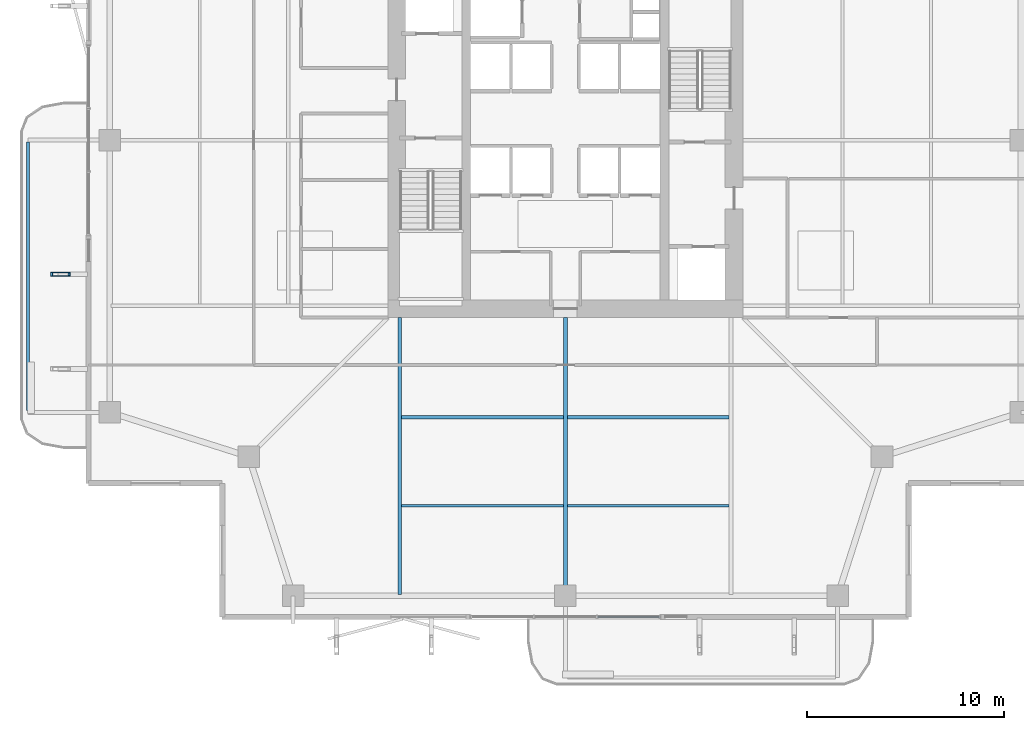
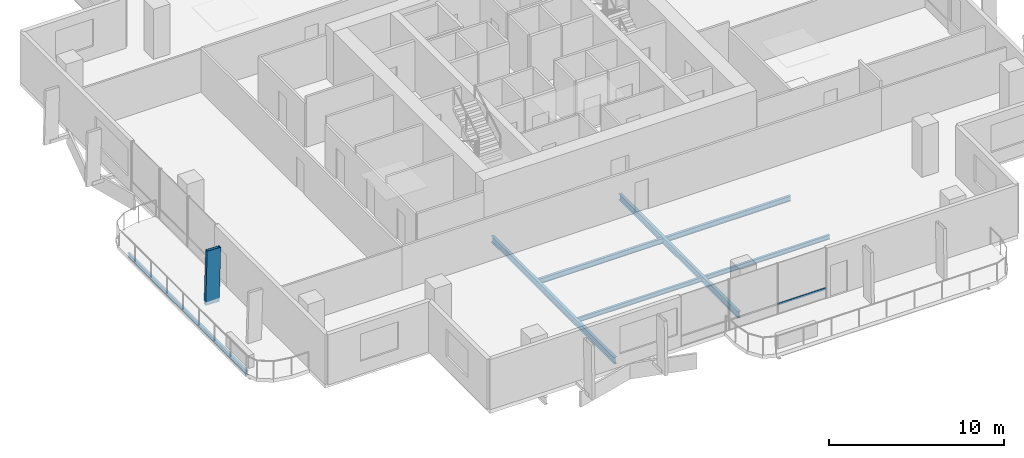
# One storey, part 3 of 23: 7 beams, 2 members, 1 element without a shape of its own.
"""IFC4 building model written with IfcOpenShell, lengths in metres."""

from ifc_helpers import new_model, si_unit, direction, frame, origin, origin_2d, place, context, subcontext, project, spatial, hollow_rectangle, i_section, extrude, material, layer, layer_set, material_profile, profile_set, type_object, element, aggregate, save


model = new_model("IFC4")

# Units and contexts
model_context = context("Model", 3, precision=1e-05, world=origin(), true_north=direction((0.0, 1.0)))
body_context = subcontext(model_context, "Body", "Model", "MODEL_VIEW")
ifc_project = project(units=[si_unit("LENGTHUNIT", "METRE"), si_unit("AREAUNIT", "SQUARE_METRE"), si_unit("VOLUMEUNIT", "CUBIC_METRE"), si_unit("PLANEANGLEUNIT", "RADIAN"), si_unit("MASSUNIT", "GRAM", prefix="KILO")], contexts=[model_context])

# Site, building, storey
site_placement = place(None, origin())
site = spatial("IfcSite", under=ifc_project, at=site_placement, CompositionType="ELEMENT")
building_placement = place(site_placement, origin())
building = spatial("IfcBuilding", under=site, at=building_placement, Name="Belovzor Exchange Tower", CompositionType="ELEMENT")
storey_placement = place(building_placement, frame((0.0, 0.0, 157.050048828125)))
storey = spatial("IfcBuildingStorey", under=building, at=storey_placement, Name="L38", CompositionType="ELEMENT", Elevation=157.050048828125)

# Beams
ifc_material_1 = material(Name="Steel S355", Category="steel")
ifc_material_profile_1 = material_profile(ifc_material_1, i_section(OverallWidth=0.14990234375, OverallDepth=0.300048828125, WebThickness=0.007080078125, FlangeThickness=0.0107421875, at=origin_2d()))
ifc_profile_set_1 = profile_set([ifc_material_profile_1], Name="Steel S355")
beam_type_1 = type_object("IfcBeamType", Name="Planted Balcony Fascia Edge Beam IPE 300", PredefinedType="BEAM", material=ifc_profile_set_1)
beam_1_placement = place(storey_placement, frame((1.547119140625, 28.699951171875, -0.405029296875), z_axis=(0.0, -1.0, 0.0), x_axis=(1.0, 0.0, 0.0)))
element("IfcBeam", 1, at=beam_1_placement, inside=storey, type_object=beam_type_1, Name="BC-300 Planted Balcony Fascia Edge Beam IPE 300", PredefinedType="BEAM", context=body_context, shape_type="SweptSolid", body=[
    extrude(i_section(OverallWidth=0.14990234375, OverallDepth=0.300048828125, WebThickness=0.007080078125, FlangeThickness=0.0107421875, at=origin_2d()), origin(), (0.0, 0.0, 1.0), 13.599853515625),
])
ifc_material_2 = material(Name="Steel S355", Category="steel")
ifc_material_profile_2 = material_profile(ifc_material_2, i_section(OverallWidth=0.169921875, OverallDepth=0.360107421875, WebThickness=0.008056640625, FlangeThickness=0.0126953125, at=origin_2d()))
ifc_profile_set_2 = profile_set([ifc_material_profile_2], Name="Steel S355")
beam_type_2 = type_object("IfcBeamType", Name="Secondary Infill Floor Joist IPE 360", PredefinedType="BEAM", material=ifc_profile_set_2)
for number, where, z_axis, x_axis, name in (
    (2, (20.4951171875, 14.7509765625, -0.43505859375), (1.0, 0.0, 0.0), (0.0, 1.0, 0.0), "FJ-360 Secondary Infill Floor Joist IPE 360"),
    (3, (28.89501953125, 14.7509765625, -0.43505859375), (1.0, 0.0, 0.0), (0.0, 1.0, 0.0), "FJ-360 Secondary Infill Floor Joist IPE 360"),
):
    element("IfcBeam", number, at=place(storey_placement, frame(where, z_axis=z_axis, x_axis=x_axis)), inside=storey, type_object=beam_type_2, Name=name, PredefinedType="BEAM", context=body_context, shape_type="SweptSolid", body=[
        extrude(i_section(OverallWidth=0.169921875, OverallDepth=0.360107421875, WebThickness=0.008056640625, FlangeThickness=0.0126953125, at=origin_2d()), origin(), (0.0, 0.0, 1.0), 8.2099609375),
    ])
ifc_material_3 = material(Name="Steel S355", Category="steel")
ifc_material_profile_3 = material_profile(ifc_material_3, i_section(OverallWidth=0.14990234375, OverallDepth=0.300048828125, WebThickness=0.007080078125, FlangeThickness=0.0107421875, at=origin_2d()))
ifc_profile_set_3 = profile_set([ifc_material_profile_3], Name="Steel S355")
beam_type_3 = type_object("IfcBeamType", Name="Secondary Trim Floor Joist IPE 300", PredefinedType="BEAM", material=ifc_profile_set_3)
for number, where, z_axis, x_axis, name in (
    (4, (20.4951171875, 10.262939453125, -0.405029296875), (1.0, 0.0, 0.0), (0.0, 1.0, 0.0), "FJ-300 Secondary Trim Floor Joist IPE 300"),
    (5, (28.89501953125, 10.262939453125, -0.405029296875), (1.0, 0.0, 0.0), (0.0, 1.0, 0.0), "FJ-300 Secondary Trim Floor Joist IPE 300"),
):
    element("IfcBeam", number, at=place(storey_placement, frame(where, z_axis=z_axis, x_axis=x_axis)), inside=storey, type_object=beam_type_3, Name=name, PredefinedType="BEAM", context=body_context, shape_type="SweptSolid", body=[
        extrude(i_section(OverallWidth=0.14990234375, OverallDepth=0.300048828125, WebThickness=0.007080078125, FlangeThickness=0.0107421875, at=origin_2d()), origin(), (0.0, 0.0, 1.0), 8.2099609375),
    ])

# Member
ifc_material_4 = material(Name="Extruded Architectural Terracotta on Steel S355 Carrier", Category="masonry")
ifc_material_profile_4 = material_profile(ifc_material_4, hollow_rectangle(XDim=0.199951171875, YDim=0.89990234375, WallThickness=0.011962890625, at=origin_2d()))
ifc_profile_set_4 = profile_set([ifc_material_profile_4], Name="Extruded Architectural Terracotta on Steel S355 Carrier")
member_type_1 = type_object("IfcMemberType", Name="Sweeping Terracotta Baguette Fin Assembly 1250", PredefinedType="USERDEFINED", material=ifc_profile_set_4)
member_1_placement = place(storey_placement, frame((3.156982421875, 22.0, -0.255126953125), z_axis=(0.027203470401, 0.0, 0.999629917118), x_axis=(0.0, 1.0, 0.0)))
element("IfcMember", 6, at=member_1_placement, inside=storey, type_object=member_type_1, Name="FIN-TC125 Terracotta Facade Fin L38 W2", ObjectType="FIN", PredefinedType="USERDEFINED", context=body_context, shape_type="SweptSolid", body=[
    extrude(hollow_rectangle(XDim=0.199951171875, YDim=0.89990234375, WallThickness=0.011962890625, at=origin_2d()), origin(), (0.0, 0.0, 1.0), 3.75146484375),
])

# Curtain wall, member
ifc_material_5 = material(Name="Anodised Aluminium Framing", Category="aluminium")
ifc_layer = layer(ifc_material_5, 0.179931640625)
ifc_layer_set = layer_set([ifc_layer], Name="Anodised Aluminium Framing")
curtain_wall_type = type_object("IfcCurtainWallType", Name="Recessed Loggia Low-Iron Triple-Glazed Curtain Wall", PredefinedType="NOTDEFINED", material=ifc_layer_set)
curtain_wall_placement = place(storey_placement, origin())
curtain_wall = element("IfcCurtainWall", 7, at=curtain_wall_placement, inside=storey, type_object=curtain_wall_type, Name="CW3 Recessed Loggia Low-Iron Triple-Glazed Curtain Wall L38", PredefinedType="NOTDEFINED")
ifc_material_6 = material(Name="Steel S355", Category="steel")
ifc_material_profile_5 = material_profile(ifc_material_6, hollow_rectangle(XDim=0.06005859375, YDim=0.14990234375, WallThickness=0.00390625, at=origin_2d()))
ifc_profile_set_5 = profile_set([ifc_material_profile_5], Name="Steel S355")
member_type_2 = type_object("IfcMemberType", Name="Thermally Broken Curtain Wall Transom 150x60", PredefinedType="USERDEFINED", material=ifc_profile_set_5)
member_2_placement = place(storey_placement, frame((33.592041015625, 4.6298828125, 0.62890625), z_axis=(-1.0, 0.0, 0.0), x_axis=(0.0, -1.0, 0.0)))
member_2 = element("IfcMember", 8, at=member_2_placement, type_object=member_type_2, Name="CW-T150 Curtain Wall Transom 1", ObjectType="TRANSOM", PredefinedType="USERDEFINED", context=body_context, shape_type="SweptSolid", body=[
    extrude(hollow_rectangle(XDim=0.06005859375, YDim=0.14990234375, WallThickness=0.00390625, at=origin_2d()), origin(), (0.0, 0.0, 1.0), 3.18408203125),
])
aggregate(curtain_wall, [member_2])

# Beams
ifc_material_7 = material(Name="Steel S355", Category="steel")
ifc_material_profile_6 = material_profile(ifc_material_7, i_section(OverallWidth=0.18994140625, OverallDepth=0.449951171875, WebThickness=0.009521484375, FlangeThickness=0.0146484375, at=origin_2d()))
ifc_profile_set_6 = profile_set([ifc_material_profile_6], Name="Steel S355")
beam_type_4 = type_object("IfcBeamType", Name="Zone 2-4 Radial Composite Floor Beam IPE 450", PredefinedType="BEAM", material=ifc_profile_set_6)
beam_2_placement = place(storey_placement, frame((20.39990234375, 19.800048828125, -0.47998046875), z_axis=(0.0, -1.0, 0.0), x_axis=(1.0, 0.0, 0.0)))
element("IfcBeam", 9, at=beam_2_placement, inside=storey, type_object=beam_type_4, Name="FB-450 Zone 2-4 Radial Composite Floor Beam IPE 450", PredefinedType="BEAM", context=body_context, shape_type="SweptSolid", body=[
    extrude(i_section(OverallWidth=0.18994140625, OverallDepth=0.449951171875, WebThickness=0.009521484375, FlangeThickness=0.0146484375, at=origin_2d()), origin(), (0.0, 0.0, 1.0), 14.025146484375),
])
beam_3_placement = place(storey_placement, frame((28.800048828125, 19.800048828125, -0.47998046875), z_axis=(0.0, -1.0, 0.0), x_axis=(1.0, 0.0, 0.0)))
element("IfcBeam", 10, at=beam_3_placement, inside=storey, type_object=beam_type_4, Name="FB-450 Zone 2-4 Radial Composite Floor Beam IPE 450", PredefinedType="BEAM", context=body_context, shape_type="SweptSolid", body=[
    extrude(i_section(OverallWidth=0.18994140625, OverallDepth=0.449951171875, WebThickness=0.009521484375, FlangeThickness=0.0146484375, at=origin_2d()), origin(), (0.0, 0.0, 1.0), 13.615966796875),
])

save(model, "model.ifc")
